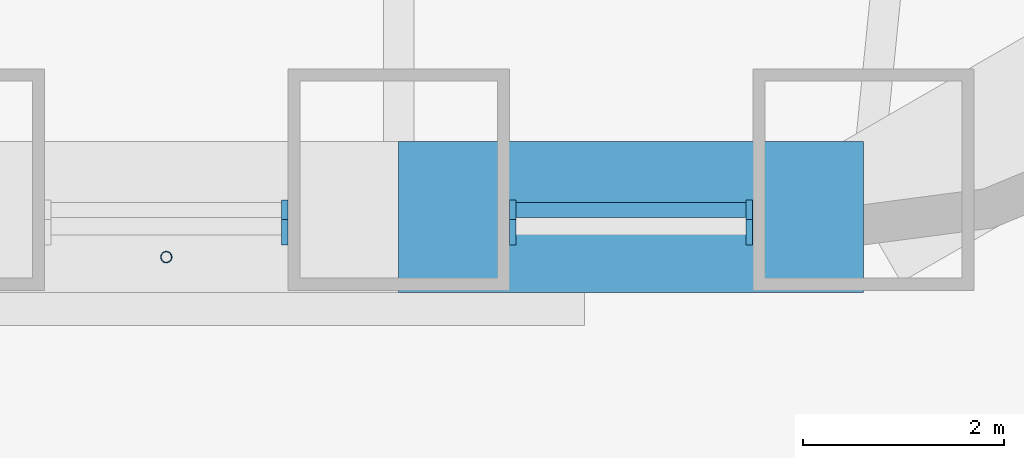
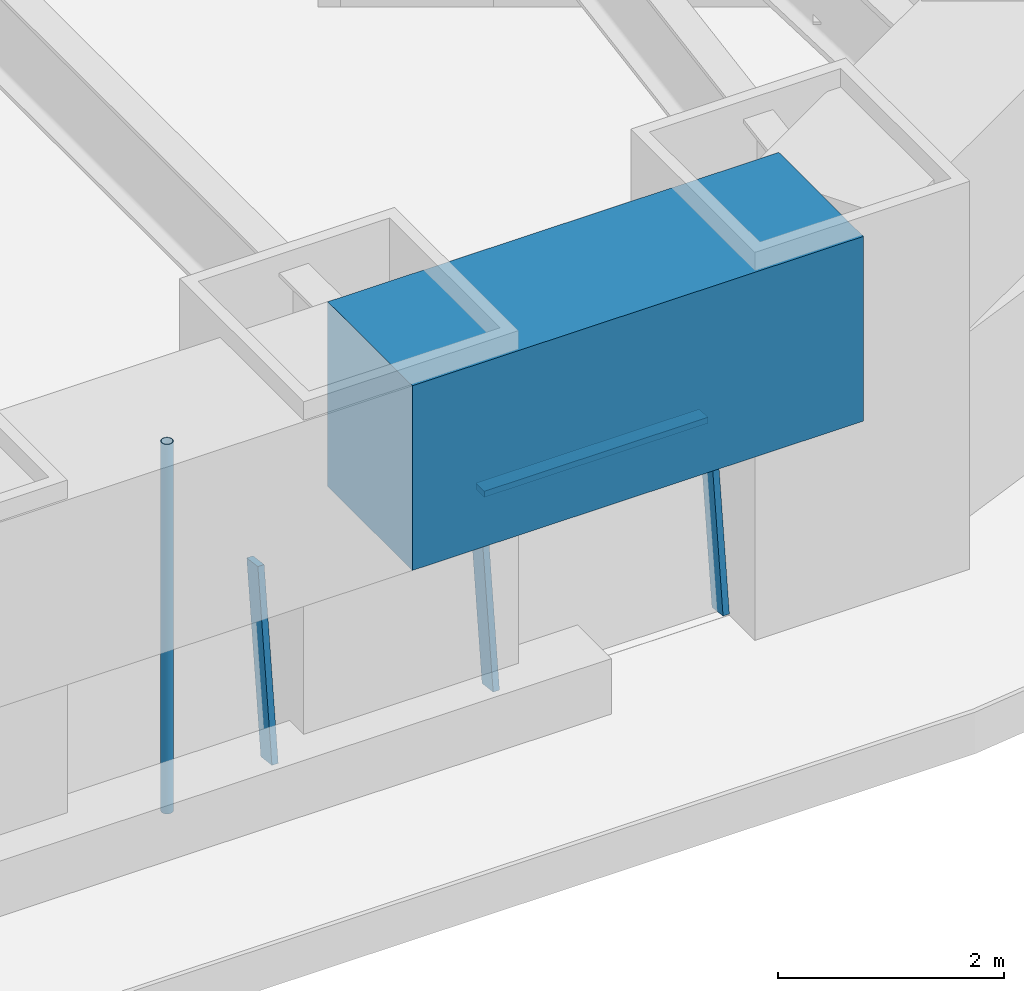
# One storey, part 4 of 20: 5 members, 1 beam, 2 elements without a shape of their own.
"""IFC4 building model written with IfcOpenShell, lengths in metres."""

from ifc_helpers import new_model, si_unit, direction, frame, origin, origin_2d, place, context, subcontext, project, spatial, rectangle, hollow_circle, extrude, material, material_profile, profile_set, type_object, element, aggregate, save


model = new_model("IFC4")

# Units and contexts
model_context = context("Model", 3, precision=1e-05, world=origin(), true_north=direction((0.0, 1.0)))
body_context = subcontext(model_context, "Body", "Model", "MODEL_VIEW")
ifc_project = project(units=[si_unit("LENGTHUNIT", "METRE"), si_unit("AREAUNIT", "SQUARE_METRE"), si_unit("VOLUMEUNIT", "CUBIC_METRE"), si_unit("PLANEANGLEUNIT", "RADIAN"), si_unit("MASSUNIT", "GRAM", prefix="KILO")], contexts=[model_context])

# Site, building, storey
site_placement = place(None, origin())
site = spatial("IfcSite", under=ifc_project, at=site_placement, CompositionType="ELEMENT")
building_placement = place(site_placement, origin())
building = spatial("IfcBuilding", under=site, at=building_placement, Name="Tarfa Lantern Tower", CompositionType="ELEMENT")
storey_placement = place(building_placement, frame((0.0, 0.0, 215.5)))
storey = spatial("IfcBuildingStorey", under=building, at=storey_placement, Name="L48", CompositionType="ELEMENT", Elevation=215.5)

# Curtain wall, member
ifc_material_1 = material(Name="Aluminium framed curtain wall", Category="aluminium")
curtain_wall_type = type_object("IfcCurtainWallType", Name="CW3 CANTED GLAZING HIGH ZONE 2000", PredefinedType="USERDEFINED", material=ifc_material_1)
curtain_wall_1_placement = place(storey_placement, origin())
curtain_wall_1 = element("IfcCurtainWall", 1, at=curtain_wall_1_placement, inside=storey, type_object=curtain_wall_type, Name="CW3 S L48", ObjectType="CURTAIN WALL", PredefinedType="USERDEFINED")
ifc_material_2 = material(Name="Aluminium mullion", Category="aluminium")
ifc_material_profile_1 = material_profile(ifc_material_2, rectangle(XDim=0.06494140625, YDim=0.199951171875, at=origin_2d()), Name="AL MULLION 65x200")
ifc_profile_set_1 = profile_set([ifc_material_profile_1], Name="Aluminium mullion")
member_type_1 = type_object("IfcMemberType", Name="CWM1 MULLION 65x200", PredefinedType="MULLION", material=ifc_profile_set_1)
member_1_placement = place(storey_placement, frame((8.105224609375, -28.89990234375, 0.0), z_axis=(0.0, 0.124034734589, 0.992277876714), x_axis=(-1.0, 0.0, 0.0)))
member_1 = element("IfcMember", 2, at=member_1_placement, type_object=member_type_1, Name="CW3 mullion 2", PredefinedType="MULLION", context=body_context, shape_type="SweptSolid", body=[
    extrude(rectangle(XDim=0.06494140625, YDim=0.199951171875, at=origin_2d()), origin(), (0.0, 0.0, 1.0), 2.015625),
])
aggregate(curtain_wall_1, [member_1])

# Curtain wall, members
curtain_wall_2_placement = place(storey_placement, origin())
curtain_wall_2 = element("IfcCurtainWall", 3, at=curtain_wall_2_placement, inside=storey, type_object=curtain_wall_type, Name="CW3 S L48", ObjectType="CURTAIN WALL", PredefinedType="USERDEFINED")
member_2_placement = place(storey_placement, frame((10.3701171875, -28.89990234375, 0.0), z_axis=(0.0, 0.124034734589, 0.992277876714), x_axis=(-1.0, 0.0, 0.0)))
member_2 = element("IfcMember", 4, at=member_2_placement, type_object=member_type_1, Name="CW3 mullion 1", PredefinedType="MULLION", context=body_context, shape_type="SweptSolid", body=[
    extrude(rectangle(XDim=0.06494140625, YDim=0.199951171875, at=origin_2d()), origin(), (0.0, 0.0, 1.0), 2.015625),
])
member_3_placement = place(storey_placement, frame((12.723876953125, -28.89990234375, 0.0), z_axis=(0.0, 0.124034734589, 0.992277876714), x_axis=(-1.0, 0.0, 0.0)))
member_3 = element("IfcMember", 5, at=member_3_placement, type_object=member_type_1, Name="CW3 mullion 2", PredefinedType="MULLION", context=body_context, shape_type="SweptSolid", body=[
    extrude(rectangle(XDim=0.06494140625, YDim=0.199951171875, at=origin_2d()), origin(), (0.0, 0.0, 1.0), 2.015625),
])
ifc_material_3 = material(Name="Aluminium transom", Category="aluminium")
ifc_material_profile_2 = material_profile(ifc_material_3, rectangle(XDim=0.14990234375, YDim=0.06494140625, at=origin_2d()), Name="AL TRANSOM 150x65")
ifc_profile_set_2 = profile_set([ifc_material_profile_2], Name="Aluminium transom")
member_type_2 = type_object("IfcMemberType", Name="CWT1 TRANSOM 150x65", PredefinedType="USERDEFINED", material=ifc_profile_set_2)
member_4_placement = place(storey_placement, frame((10.402587890625, -28.654052734375, 1.967529296875), z_axis=(1.0, 0.0, 0.0), x_axis=(0.0, 1.0, 0.0)))
member_4 = element("IfcMember", 6, at=member_4_placement, type_object=member_type_2, Name="CW3 transom 1.2", ObjectType="TRANSOM", PredefinedType="USERDEFINED", context=body_context, shape_type="SweptSolid", body=[
    extrude(rectangle(XDim=0.14990234375, YDim=0.06494140625, at=origin_2d()), origin(), (0.0, 0.0, 1.0), 2.288818359375),
])
aggregate(curtain_wall_2, [member_2, member_3, member_4])

# Beam
ifc_material_4 = material(Name="Concrete C80/95", Category="concrete")
ifc_material_profile_3 = material_profile(ifc_material_4, rectangle(XDim=1.5, YDim=2.0, at=origin_2d()), Name="RC 1500x2000")
ifc_profile_set_3 = profile_set([ifc_material_profile_3], Name="Concrete C80/95")
beam_type = type_object("IfcBeamType", Name="RB3 RC 1500x2000", PredefinedType="BEAM", material=ifc_profile_set_3)
beam_placement = place(storey_placement, frame((9.237548828125, -28.719970703125, 3.0), z_axis=(1.0, 0.0, 0.0), x_axis=(0.0, 1.0, 0.0)))
element("IfcBeam", 7, at=beam_placement, inside=storey, type_object=beam_type, Name="Edge beam S5", PredefinedType="BEAM", context=body_context, shape_type="SweptSolid", body=[
    extrude(rectangle(XDim=1.5, YDim=2.0, at=origin_2d()), origin(), (0.0, 0.0, 1.0), 4.618896484375),
])

# Member
ifc_material_5 = material(Name="Steel S355", Category="steel")
ifc_material_profile_4 = material_profile(ifc_material_5, hollow_circle(Radius=0.05712890625, WallThickness=0.00634765625, at=origin_2d()), Name="CHS114.3x6.3")
ifc_profile_set_4 = profile_set([ifc_material_profile_4], Name="Steel S355")
member_type_3 = type_object("IfcMemberType", Name="TR1 GREEN WALL TRELLIS CHS114.3x6.3", PredefinedType="USERDEFINED", material=ifc_profile_set_4)
member_5_placement = place(storey_placement, frame((6.92822265625, -29.1201171875, 0.0), z_axis=(0.0, 0.0, 1.0), x_axis=(1.0, 0.0, 0.0)))
element("IfcMember", 8, at=member_5_placement, inside=storey, type_object=member_type_3, Name="Trellis post S 2", ObjectType="TRELLIS", PredefinedType="USERDEFINED", context=body_context, shape_type="SweptSolid", body=[
    extrude(hollow_circle(Radius=0.05712890625, WallThickness=0.00634765625, at=origin_2d()), origin(), (0.0, 0.0, 1.0), 4.0),
])

save(model, "model.ifc")
